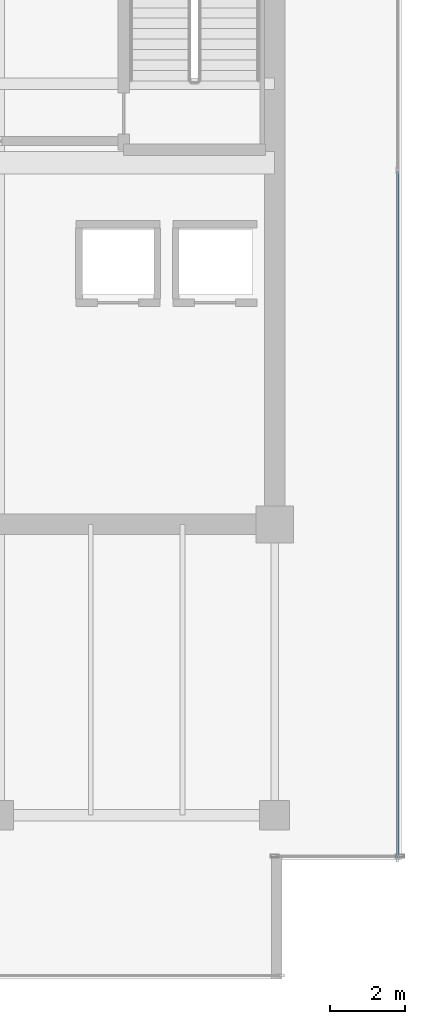
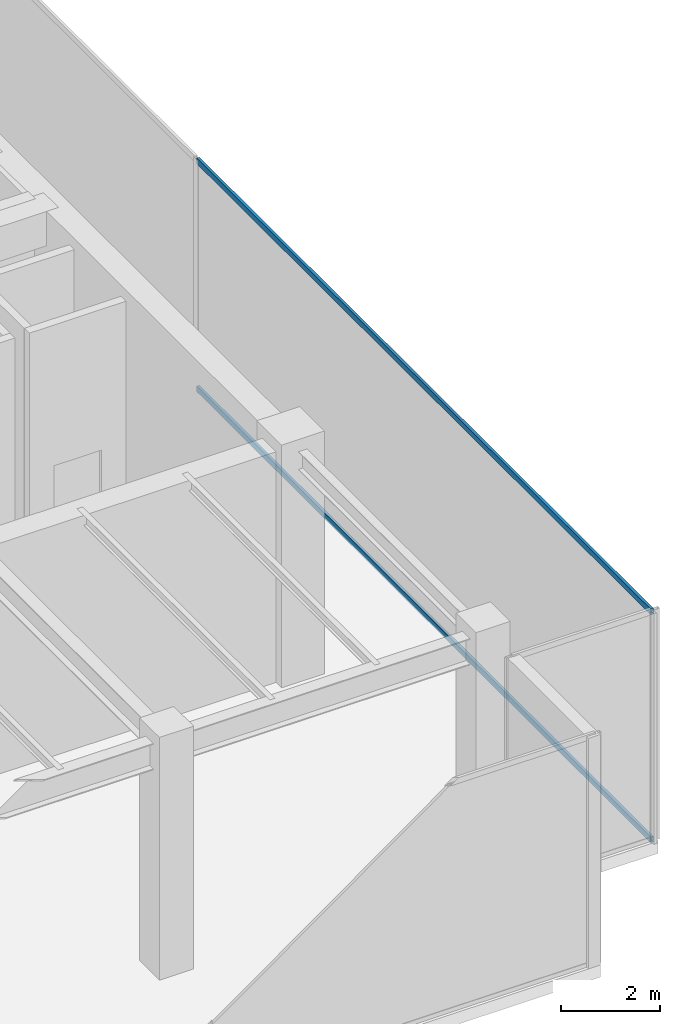
# One storey, part 20 of 30: 2 members, 1 element without a shape of its own.
"""IFC4 building model written with IfcOpenShell, lengths in metres."""

from ifc_helpers import new_model, si_unit, direction, frame, origin, origin_2d, place, context, subcontext, project, spatial, hollow_rectangle, extrude, source, transform, mapped, material, layer, layer_set, material_profile, profile_set, type_object, type_shapes, element, aggregate, save


model = new_model("IFC4")

# Units and contexts
model_context = context("Model", 3, precision=1e-05, world=origin(), true_north=direction((0.0, 1.0)))
body_context = subcontext(model_context, "Body", "Model", "MODEL_VIEW")
ifc_project = project(units=[si_unit("LENGTHUNIT", "METRE"), si_unit("AREAUNIT", "SQUARE_METRE"), si_unit("VOLUMEUNIT", "CUBIC_METRE"), si_unit("PLANEANGLEUNIT", "RADIAN"), si_unit("MASSUNIT", "GRAM", prefix="KILO")], contexts=[model_context])

# Site, building, storey
site_placement = place(None, origin())
site = spatial("IfcSite", under=ifc_project, at=site_placement, CompositionType="ELEMENT")
building_placement = place(site_placement, origin())
building = spatial("IfcBuilding", under=site, at=building_placement, Name="Haelvirn Gate Laboratories", CompositionType="ELEMENT")
storey_placement = place(building_placement, frame((0.0, 0.0, 291.60009765625)))
storey = spatial("IfcBuildingStorey", under=building, at=storey_placement, Name="L70", CompositionType="ELEMENT", Elevation=291.60009765625)

# Curtain wall, members
ifc_material_1 = material(Name="Anodised bronze unitised aluminium & triple low-E glass", Category="aluminium")
ifc_layer = layer(ifc_material_1, 0.176025390625, Name="CW-SYS-4")
ifc_layer_set = layer_set([ifc_layer], Name="Anodised bronze unitised aluminium & triple low-E glass")
curtain_wall_type = type_object("IfcCurtainWallType", Name="CW-SYS-4", PredefinedType="NOTDEFINED", material=ifc_layer_set)
curtain_wall_placement = place(storey_placement, origin())
curtain_wall = element("IfcCurtainWall", 1, at=curtain_wall_placement, inside=storey, type_object=curtain_wall_type, Name="L70 Unitised Curtain Wall CW-L70-P1-E03", PredefinedType="NOTDEFINED")
ifc_material_2 = material(Name="Extruded aluminium 6063-T6 (anodised bronze)", Category="aluminium")
ifc_material_profile = material_profile(ifc_material_2, hollow_rectangle(XDim=0.06494140625, YDim=0.139892578125, WallThickness=0.00390625, at=origin_2d()), Name="CWT-140x65x4")
ifc_profile_set = profile_set([ifc_material_profile], Name="Extruded aluminium 6063-T6 (anodised bronze)")
member_type = type_object("IfcMemberType", Name="CWT-T140", PredefinedType="USERDEFINED", material=ifc_profile_set)
shared_shape = source(origin(), body_context, "Body", "SweptSolid", [
    extrude(hollow_rectangle(XDim=0.06494140625, YDim=0.139892578125, WallThickness=0.00390625, at=origin_2d()), origin(), (0.0, 0.0, 1.0), 18.394775390625),
])
type_shapes(member_type, [shared_shape])
member_1_placement = place(storey_placement, frame((70.699951171875, 5.8701171875, 0.032470703125), z_axis=(0.0, 1.0, 0.0), x_axis=(-1.0, 0.0, 0.0)))
member_1 = element("IfcMember", 2, at=member_1_placement, type_object=member_type, Name="CW4 transom 1.1", ObjectType="TRANSOM", PredefinedType="USERDEFINED", context=body_context, shape_type="MappedRepresentation", body=[
    mapped(shared_shape, transform((0.0, 0.0, 0.0), scale=1.0)),
])
member_2_placement = place(storey_placement, frame((70.699951171875, 5.8701171875, 5.66748046875), z_axis=(0.0, 1.0, 0.0), x_axis=(-1.0, 0.0, 0.0)))
member_2 = element("IfcMember", 3, at=member_2_placement, type_object=member_type, Name="CW4 transom 1.2", ObjectType="TRANSOM", PredefinedType="USERDEFINED", context=body_context, shape_type="MappedRepresentation", body=[
    mapped(shared_shape, transform((0.0, 0.0, 0.0), scale=1.0)),
])
aggregate(curtain_wall, [member_1, member_2])

save(model, "model.ifc")
